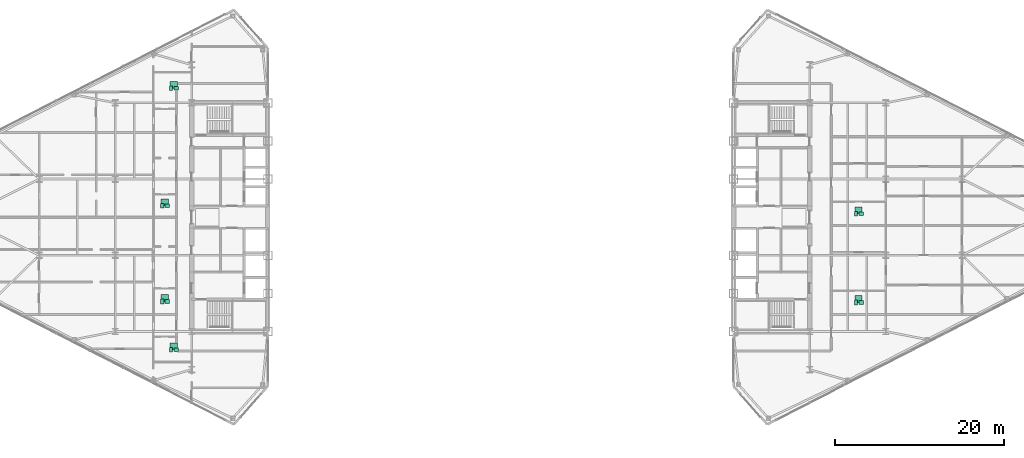
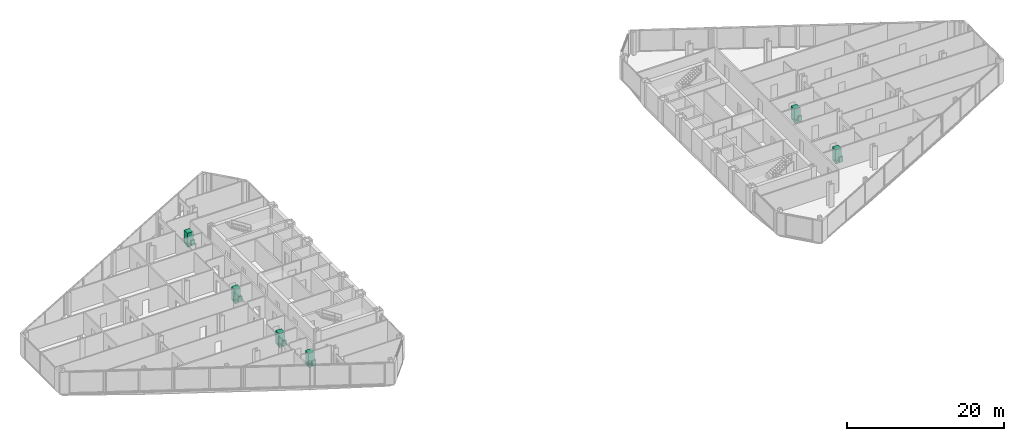
# One storey, part 24 of 24: 18 sanitary terminals.
"""IFC4 building model written with IfcOpenShell, lengths in metres."""

from ifc_helpers import new_model, si_unit, direction, frame, origin, origin_2d, place, context, subcontext, project, spatial, rectangle, extrude, source, transform, mapped, material, type_object, type_shapes, element, save


model = new_model("IFC4")

# Units and contexts
model_context = context("Model", 3, precision=1e-05, world=origin(), true_north=direction((0.0, 1.0)))
body_context = subcontext(model_context, "Body", "Model", "MODEL_VIEW")
ifc_project = project(units=[si_unit("LENGTHUNIT", "METRE"), si_unit("AREAUNIT", "SQUARE_METRE"), si_unit("VOLUMEUNIT", "CUBIC_METRE"), si_unit("PLANEANGLEUNIT", "RADIAN"), si_unit("MASSUNIT", "GRAM", prefix="KILO")], contexts=[model_context])

# Site, building, storey
site_placement = place(None, origin())
site = spatial("IfcSite", under=ifc_project, at=site_placement, CompositionType="ELEMENT")
building_placement = place(site_placement, origin())
building = spatial("IfcBuilding", under=site, at=building_placement, Name="Seokmaru Belvedere", CompositionType="ELEMENT")
storey_placement = place(building_placement, frame((0.0, 0.0, 140.39990234375)))
storey = spatial("IfcBuildingStorey", under=building, at=storey_placement, Name="L37", CompositionType="ELEMENT", Elevation=140.39990234375)

# Sanitary terminals
ifc_material_1 = material(Name="Vitreous China Sanitaryware")
sanitary_terminal_type_1 = type_object("IfcSanitaryTerminalType", Name="Wall-Hung Vitreous China WC Pan", PredefinedType="TOILETPAN", material=ifc_material_1)
shared_shape_1 = source(origin(), body_context, "Body", "SweptSolid", [
    extrude(rectangle(XDim=0.3798828125, YDim=0.56005859375, at=origin_2d()), origin(), (0.0, 0.0, 1.0), 0.419921875),
])
type_shapes(sanitary_terminal_type_1, [shared_shape_1])
for number, where, z_axis, x_axis, name in (
    (1, (-38.9169921875, -15.6669921875, 0.000244140625), (0.0, 0.0, 1.0), (1.0, 0.0, 0.0), "L37 Vitreous China WC 0202"),
    (2, (-39.97509765625, -9.947998046875, 0.000244140625), (0.0, 0.0, 1.0), (1.0, 0.0, 0.0), "L37 Vitreous China WC 0203"),
    (3, (-39.97509765625, 1.34912109375, 0.000244140625), (0.0, 0.0, 1.0), (1.0, 0.0, 0.0), "L37 Vitreous China WC 0204"),
    (4, (-38.9169921875, 15.23193359375, 0.000244140625), (0.0, 0.0, 1.0), (1.0, 0.0, 0.0), "L37 Vitreous China WC 0205"),
    (5, (41.97509765625, -10.083984375, 0.000244140625), (0.0, 0.0, 1.0), (1.0, 0.0, 0.0), "L37 Vitreous China WC 0206"),
    (6, (41.97509765625, 0.416015625, 0.000244140625), (0.0, 0.0, 1.0), (1.0, 0.0, 0.0), "L37 Vitreous China WC 0207"),
):
    element("IfcSanitaryTerminal", number, at=place(storey_placement, frame(where, z_axis=z_axis, x_axis=x_axis)), inside=storey, type_object=sanitary_terminal_type_1, Name=name, PredefinedType="TOILETPAN", context=body_context, shape_type="MappedRepresentation", body=[
        mapped(shared_shape_1, transform((0.0, 0.0, 0.0), scale=1.0)),
    ])
sanitary_terminal_type_2 = type_object("IfcSanitaryTerminalType", Name="Countertop Ceramic Washhand Basin", PredefinedType="WASHHANDBASIN", material=ifc_material_1)
shared_shape_2 = source(origin(), body_context, "Body", "SweptSolid", [
    extrude(rectangle(XDim=0.550048828125, YDim=0.449951171875, at=origin_2d()), origin(), (0.0, 0.0, 1.0), 0.820068359375),
])
type_shapes(sanitary_terminal_type_2, [shared_shape_2])
for number, where, z_axis, x_axis, name in (
    (7, (-38.31689453125, -15.6669921875, 0.0), (0.0, 0.0, 1.0), (1.0, 0.0, 0.0), "L37 Ceramic Washhand Basin 0202"),
    (8, (-39.375, -9.947998046875, 0.0), (0.0, 0.0, 1.0), (1.0, 0.0, 0.0), "L37 Ceramic Washhand Basin 0203"),
    (9, (-39.375, 1.34912109375, 0.0), (0.0, 0.0, 1.0), (1.0, 0.0, 0.0), "L37 Ceramic Washhand Basin 0204"),
    (10, (-38.31689453125, 15.23193359375, 0.0), (0.0, 0.0, 1.0), (1.0, 0.0, 0.0), "L37 Ceramic Washhand Basin 0205"),
    (11, (42.574951171875, -10.083984375, 0.0), (0.0, 0.0, 1.0), (1.0, 0.0, 0.0), "L37 Ceramic Washhand Basin 0206"),
    (12, (42.574951171875, 0.416015625, 0.0), (0.0, 0.0, 1.0), (1.0, 0.0, 0.0), "L37 Ceramic Washhand Basin 0207"),
):
    element("IfcSanitaryTerminal", number, at=place(storey_placement, frame(where, z_axis=z_axis, x_axis=x_axis)), inside=storey, type_object=sanitary_terminal_type_2, Name=name, PredefinedType="WASHHANDBASIN", context=body_context, shape_type="MappedRepresentation", body=[
        mapped(shared_shape_2, transform((0.0, 0.0, 0.0), scale=1.0)),
    ])
ifc_material_2 = material(Name="Stainless Steel 316", Category="steel")
sanitary_terminal_type_3 = type_object("IfcSanitaryTerminalType", Name="Walk-In Thermostatic Rain Shower Enclosure", PredefinedType="SHOWER", material=ifc_material_2)
shared_shape_3 = source(origin(), body_context, "Body", "SweptSolid", [
    extrude(rectangle(XDim=0.85009765625, YDim=0.85009765625, at=origin_2d()), origin(), (0.0, 0.0, 1.0), 2.050048828125),
])
type_shapes(sanitary_terminal_type_3, [shared_shape_3])
for number, where, z_axis, x_axis, name in (
    (13, (-38.616943359375, -15.287109375, 0.0), (0.0, 0.0, 1.0), (1.0, 0.0, 0.0), "L37 Walk-In Shower 0202"),
    (14, (-39.675048828125, -9.568115234375, 0.0), (0.0, 0.0, 1.0), (1.0, 0.0, 0.0), "L37 Walk-In Shower 0203"),
    (15, (-39.675048828125, 1.72900390625, 0.0), (0.0, 0.0, 1.0), (1.0, 0.0, 0.0), "L37 Walk-In Shower 0204"),
    (16, (-38.616943359375, 15.612060546875, 0.0), (0.0, 0.0, 1.0), (1.0, 0.0, 0.0), "L37 Walk-In Shower 0205"),
    (17, (42.27490234375, -9.7041015625, 0.0), (0.0, 0.0, 1.0), (1.0, 0.0, 0.0), "L37 Walk-In Shower 0206"),
    (18, (42.27490234375, 0.7958984375, 0.0), (0.0, 0.0, 1.0), (1.0, 0.0, 0.0), "L37 Walk-In Shower 0207"),
):
    element("IfcSanitaryTerminal", number, at=place(storey_placement, frame(where, z_axis=z_axis, x_axis=x_axis)), inside=storey, type_object=sanitary_terminal_type_3, Name=name, PredefinedType="SHOWER", context=body_context, shape_type="MappedRepresentation", body=[
        mapped(shared_shape_3, transform((0.0, 0.0, 0.0), scale=1.0)),
    ])

save(model, "model.ifc")
